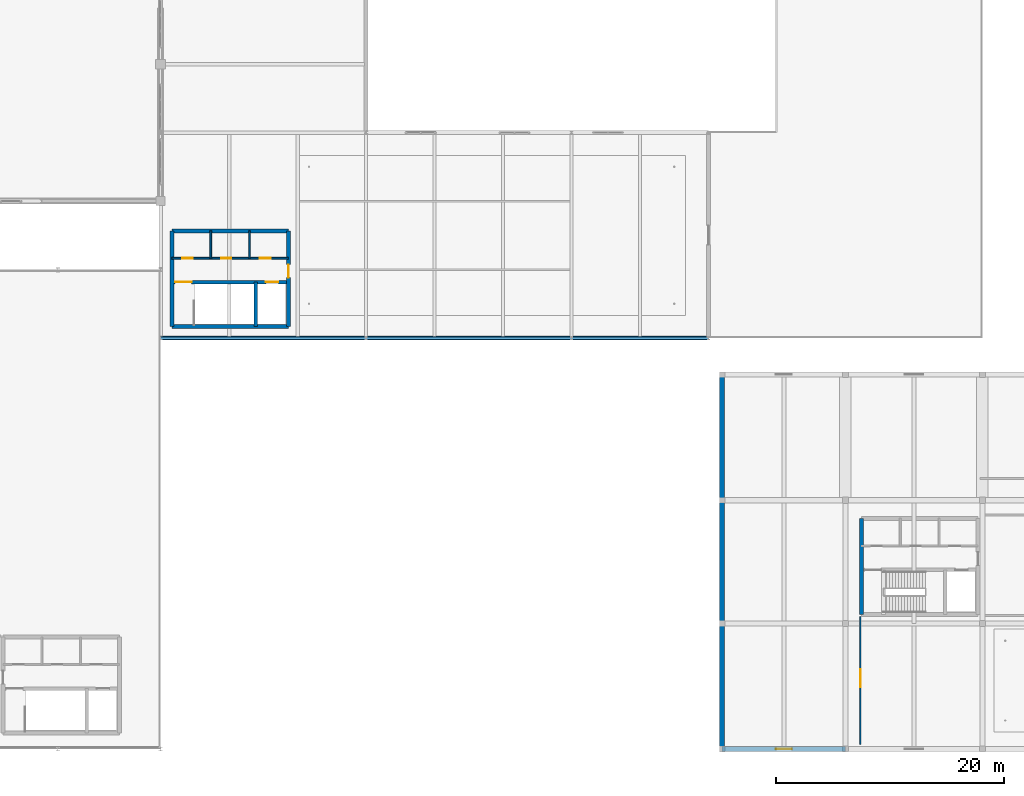
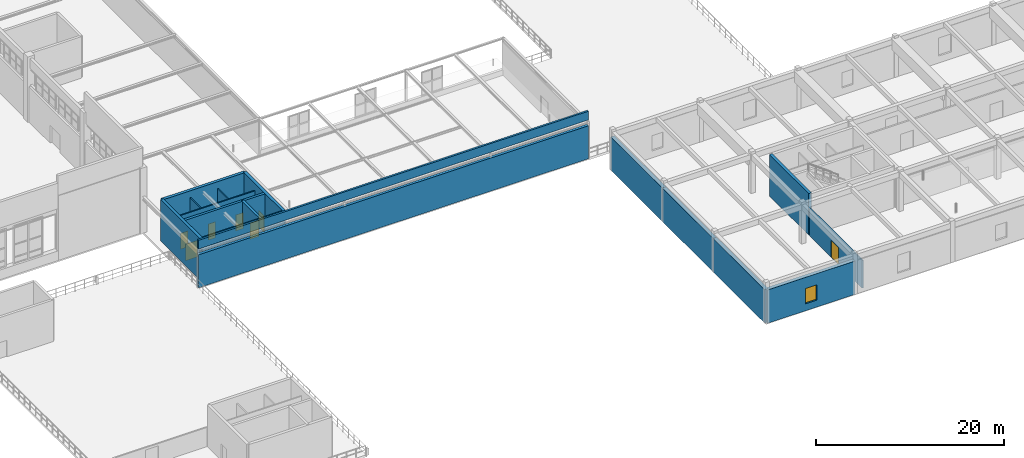
# One storey, part 78 of 97: 17 walls, 7 doors, 1 window, 8 openings.
"""IFC4 building model written with IfcOpenShell, lengths in metres."""

from ifc_helpers import new_model, si_unit, derived_unit, direction, frame, frame_2d, origin, place, context, subcontext, project, spatial, rectangle, extrude, material, layer, layer_set, type_object, element, fill, save


model = new_model("IFC4")

# Units and contexts
model_context = context("Model", 3, precision=1e-05, world=origin(), true_north=direction((0.0, 1.0)))
body_context = subcontext(model_context, "Body", "Model", "MODEL_VIEW")
ifc_project = project(units=[si_unit("LENGTHUNIT", "METRE"), si_unit("AREAUNIT", "SQUARE_METRE"), si_unit("VOLUMEUNIT", "CUBIC_METRE"), si_unit("PLANEANGLEUNIT", "RADIAN"), si_unit("MASSUNIT", "GRAM", prefix="KILO"), derived_unit("THERMALTRANSMITTANCEUNIT", [(si_unit("POWERUNIT", "WATT"), 1), (si_unit("LENGTHUNIT", "METRE"), -2), (si_unit("THERMODYNAMICTEMPERATUREUNIT", "KELVIN"), -1)])], contexts=[model_context])

# Site, building, storey
site_placement = place(None, origin())
site = spatial("IfcSite", under=ifc_project, at=site_placement, CompositionType="ELEMENT")
building_placement = place(site_placement, origin())
building = spatial("IfcBuilding", under=site, at=building_placement, Name="Almenara Railside Exhibition Hall", CompositionType="ELEMENT")
storey_placement = place(building_placement, frame((0.0, 0.0, 10.800048828125)))
storey = spatial("IfcBuildingStorey", under=building, at=storey_placement, Name="L02", CompositionType="ELEMENT", Elevation=10.800048828125)

# Wall, opening, door
ifc_material_1 = material(Name="Double-stud acoustic gypsum partition")
ifc_layer_1 = layer(ifc_material_1, 0.159912109375, Name="Double-stud acoustic gypsum partition")
ifc_layer_set_1 = layer_set([ifc_layer_1], Name="Double-stud acoustic gypsum partition")
wall_type_1 = type_object("IfcWallType", Name="Acoustic Congress Partition 160mm", PredefinedType="PARTITIONING", material=ifc_layer_set_1)
wall_1_placement = place(storey_placement, frame((127.300048828125, 0.39990234375, 0.0), z_axis=(0.0, 0.0, 1.0), x_axis=(0.0, 1.0, 0.0)))
wall_1 = element("IfcWall", 1, at=wall_1_placement, inside=storey, type_object=wall_type_1, Name="Interior wall 0388", PredefinedType="PARTITIONING", context=body_context, shape_type="SweptSolid", body=[
    extrude(rectangle(XDim=11.2001953125, YDim=0.159912109375, at=frame_2d((5.60009765625, 0.0))), origin(), (0.0, 0.0, 1.0), 3.599853515625),
])
opening_1_placement = place(wall_1_placement, frame((5.0, 0.0, 0.0)))
opening_1 = element("IfcOpeningElement", 2, at=opening_1_placement, cuts=wall_1, Name="Opening ID-16", PredefinedType="OPENING", context=body_context, shape_type="SweptSolid", body=[
    extrude(rectangle(XDim=1.60009765625, YDim=2.199951171875, at=frame_2d((0.800048828125, 1.10009765625))), frame((0.0, 0.08984375, 0.0), z_axis=(0.0, -1.0, 0.0), x_axis=(1.0, 0.0, 0.0)), (0.0, 0.0, 1.0), 0.179931640625),
])
ifc_material_2 = material(Name="Iroko hardwood double door", Category="wood")
door_type_1 = type_object("IfcDoorType", Name="Meeting Suite Double Door 1600x2200", OperationType="NOTDEFINED", PredefinedType="DOOR", material=ifc_material_2)
door_1_placement = place(opening_1_placement, origin())
door_1 = element("IfcDoor", 3, at=door_1_placement, inside=storey, type_object=door_type_1, Name="Interior door ID-16-263", OperationType="DOUBLE_DOOR_SINGLE_SWING", OverallHeight=2.199951171875, OverallWidth=1.60009765625, PredefinedType="DOOR", context=body_context, shape_type="SweptSolid", body=[
    extrude(rectangle(XDim=1.60009765625, YDim=2.199951171875, at=frame_2d((0.800048828125, 1.10009765625))), frame((0.0, 0.02490234375, 0.0), z_axis=(0.0, -1.0, 0.0), x_axis=(1.0, 0.0, 0.0)), (0.0, 0.0, 1.0), 0.050048828125),
])
fill(opening_1, door_1)

# Walls
ifc_material_3 = material(Name="Concrete C35/45", Category="concrete")
ifc_layer_2 = layer(ifc_material_3, 0.35009765625, Name="Concrete C35/45")
ifc_layer_set_2 = layer_set([ifc_layer_2], Name="Concrete C35/45")
wall_type_2 = type_object("IfcWallType", Name="Core Coupled Shear Wall 350mm C35/45", PredefinedType="SHEAR", material=ifc_layer_set_2)
for number, where, z_axis, x_axis, name in (
    (4, (67.0, 37.0, 0.0), (0.0, 0.0, 1.0), (1.0, 0.0, 0.0), "Interior wall 0091"),
    (5, (77.199951171875, 45.39990234375, 0.0), (0.0, 0.0, 1.0), (-1.0, 0.0, 0.0), "Interior wall 0092"),
):
    element("IfcWall", number, at=place(storey_placement, frame(where, z_axis=z_axis, x_axis=x_axis)), inside=storey, type_object=wall_type_2, Name=name, PredefinedType="SHEAR", context=body_context, shape_type="SweptSolid", body=[
        extrude(rectangle(XDim=10.199951171875, YDim=0.35009765625, at=frame_2d((5.10009765625, 0.0))), origin(), (0.0, 0.0, 1.0), 5.39990234375),
    ])
wall_2_placement = place(storey_placement, frame((67.0, 45.39990234375, 0.0), z_axis=(0.0, 0.0, 1.0), x_axis=(0.0, -1.0, 0.0)))
element("IfcWall", 6, at=wall_2_placement, inside=storey, type_object=wall_type_2, Name="Interior wall 0093", PredefinedType="SHEAR", context=body_context, shape_type="SweptSolid", body=[
    extrude(rectangle(XDim=8.39990234375, YDim=0.35009765625, at=frame_2d((4.199951171875, 0.0))), origin(), (0.0, 0.0, 1.0), 5.39990234375),
])

# Wall, opening, door
wall_3_placement = place(storey_placement, frame((77.199951171875, 37.0, 0.0), z_axis=(0.0, 0.0, 1.0), x_axis=(0.0, 1.0, 0.0)))
wall_3 = element("IfcWall", 7, at=wall_3_placement, inside=storey, type_object=wall_type_2, Name="Interior wall 0094", PredefinedType="SHEAR", context=body_context, shape_type="SweptSolid", body=[
    extrude(rectangle(XDim=8.39990234375, YDim=0.35009765625, at=frame_2d((4.199951171875, 0.0))), origin(), (0.0, 0.0, 1.0), 5.39990234375),
])
opening_2_placement = place(wall_3_placement, frame((4.300048828125, 0.0, 0.0)))
opening_2 = element("IfcOpeningElement", 8, at=opening_2_placement, cuts=wall_3, Name="Opening FD-115", PredefinedType="OPENING", context=body_context, shape_type="SweptSolid", body=[
    extrude(rectangle(XDim=1.14990234375, YDim=2.14990234375, at=frame_2d((0.574951171875, 1.074951171875))), frame((0.0, 0.18505859375, 0.0), z_axis=(0.0, -1.0, 0.0), x_axis=(1.0, 0.0, 0.0)), (0.0, 0.0, 1.0), 0.3701171875),
])
ifc_material_4 = material(Name="Fire-rated iroko timber door", Category="wood")
door_type_2 = type_object("IfcDoorType", Name="Core Lobby Fire Door 1150x2150 EI60", OperationType="NOTDEFINED", PredefinedType="DOOR", material=ifc_material_4)
door_2_placement = place(opening_2_placement, origin())
door_2 = element("IfcDoor", 9, at=door_2_placement, inside=storey, type_object=door_type_2, Name="Interior door FD-115-061", OperationType="SINGLE_SWING_LEFT", OverallHeight=2.14990234375, OverallWidth=1.14990234375, PredefinedType="DOOR", context=body_context, shape_type="SweptSolid", body=[
    extrude(rectangle(XDim=1.14990234375, YDim=2.14990234375, at=frame_2d((0.574951171875, 1.074951171875))), frame((0.0, 0.02490234375, 0.0), z_axis=(0.0, -1.0, 0.0), x_axis=(1.0, 0.0, 0.0)), (0.0, 0.0, 1.0), 0.050048828125),
])
fill(opening_2, door_2)

# Walls
wall_4_placement = place(storey_placement, frame((127.39990234375, 20.199951171875, 0.0), z_axis=(0.0, 0.0, 1.0), x_axis=(0.0, -1.0, 0.0)))
element("IfcWall", 10, at=wall_4_placement, inside=storey, type_object=wall_type_2, Name="Interior wall 0129", PredefinedType="SHEAR", context=body_context, shape_type="SweptSolid", body=[
    extrude(rectangle(XDim=8.39990234375, YDim=0.35009765625, at=frame_2d((4.199951171875, 0.0))), origin(), (0.0, 0.0, 1.0), 5.39990234375),
])
ifc_material_5 = material(Name="Ochre-white lime-rendered masonry over Concrete C35/45", Category="masonry")
ifc_layer_3 = layer(ifc_material_5, 0.3349609375, Name="Ochre-white lime-rendered masonry over Concrete C35/45")
ifc_layer_set_3 = layer_set([ifc_layer_3], Name="Ochre-white lime-rendered masonry over Concrete C35/45")
wall_type_3 = type_object("IfcWallType", Name="Exterior Belvedere Wall 335mm C35/45", PredefinedType="SOLIDWALL", material=ifc_layer_set_3)
wall_5_placement = place(storey_placement, frame((66.0, 36.0, 0.0), z_axis=(0.0, 0.0, 1.0), x_axis=(1.0, 0.0, 0.0)))
element("IfcWall", 11, at=wall_5_placement, inside=storey, type_object=wall_type_3, Name="Exterior wall 0168", PredefinedType="SOLIDWALL", context=body_context, shape_type="SweptSolid", body=[
    extrude(rectangle(XDim=48.0, YDim=0.3349609375, at=frame_2d((24.0, 0.0))), origin(), (0.0, 0.0, 1.0), 4.300048828125),
])

# Wall, opening, window
ifc_layer_4 = layer(ifc_material_5, 0.449951171875, Name="Ochre-white lime-rendered masonry over Concrete C35/45")
ifc_layer_set_4 = layer_set([ifc_layer_4], Name="Ochre-white lime-rendered masonry over Concrete C35/45")
wall_type_4 = type_object("IfcWallType", Name="Exterior Civic Stucco Wall 450mm C35/45", PredefinedType="SOLIDWALL", material=ifc_layer_set_4)
wall_6_placement = place(storey_placement, frame((115.199951171875, 0.0, 0.0), z_axis=(0.0, 0.0, 1.0), x_axis=(1.0, 0.0, 0.0)))
wall_6 = element("IfcWall", 12, at=wall_6_placement, inside=storey, type_object=wall_type_4, Name="Exterior wall 0244", PredefinedType="SOLIDWALL", context=body_context, shape_type="SweptSolid", body=[
    extrude(rectangle(XDim=10.800048828125, YDim=0.449951171875, at=frame_2d((5.39990234375, 0.0))), origin(), (0.0, 0.0, 1.0), 4.349853515625),
])
opening_3_placement = place(wall_6_placement, frame((4.699951171875, 0.0, 0.89990234375)))
opening_3 = element("IfcOpeningElement", 13, at=opening_3_placement, cuts=wall_6, Name="Opening W-09", PredefinedType="OPENING", context=body_context, shape_type="SweptSolid", body=[
    extrude(rectangle(XDim=1.39990234375, YDim=2.0, at=frame_2d((0.699951171875, 1.0))), frame((0.0, 0.23486328125, 0.0), z_axis=(0.0, -1.0, 0.0), x_axis=(1.0, 0.0, 0.0)), (0.0, 0.0, 1.0), 0.469970703125),
])
ifc_material_6 = material(Name="Bronze-anodised aluminium and low-E double glazing", Category="aluminium")
window_type = type_object("IfcWindowType", Name="Office Deep-Reveal Window 1400x2000", PartitioningType="DOUBLE_PANEL_VERTICAL", PredefinedType="WINDOW", material=ifc_material_6)
window_placement = place(opening_3_placement, origin())
window = element("IfcWindow", 14, at=window_placement, inside=storey, type_object=window_type, Name="Window 0093", OverallHeight=2.0, OverallWidth=1.39990234375, PartitioningType="DOUBLE_PANEL_VERTICAL", PredefinedType="WINDOW", context=body_context, shape_type="SweptSolid", body=[
    extrude(rectangle(XDim=1.39990234375, YDim=2.0, at=frame_2d((0.699951171875, 1.0))), frame((0.0, 0.030029296875, 0.0), z_axis=(0.0, -1.0, 0.0), x_axis=(1.0, 0.0, 0.0)), (0.0, 0.0, 1.0), 0.06005859375),
])
fill(opening_3, window)

# Walls
wall_7_placement = place(storey_placement, frame((115.199951171875, 11.0, 0.0), z_axis=(0.0, 0.0, 1.0), x_axis=(0.0, -1.0, 0.0)))
element("IfcWall", 15, at=wall_7_placement, inside=storey, type_object=wall_type_4, Name="Exterior wall 0261", PredefinedType="SOLIDWALL", context=body_context, shape_type="SweptSolid", body=[
    extrude(rectangle(XDim=11.0, YDim=0.449951171875, at=frame_2d((5.5, 0.0))), origin(), (0.0, 0.0, 1.0), 4.349853515625),
])
wall_8_placement = place(storey_placement, frame((115.199951171875, 21.800048828125, 0.0), z_axis=(0.0, 0.0, 1.0), x_axis=(0.0, -1.0, 0.0)))
element("IfcWall", 16, at=wall_8_placement, inside=storey, type_object=wall_type_4, Name="Exterior wall 0263", PredefinedType="SOLIDWALL", context=body_context, shape_type="SweptSolid", body=[
    extrude(rectangle(XDim=10.800048828125, YDim=0.449951171875, at=frame_2d((5.39990234375, 0.0))), origin(), (0.0, 0.0, 1.0), 4.349853515625),
])
wall_9_placement = place(storey_placement, frame((115.199951171875, 32.800048828125, 0.0), z_axis=(0.0, 0.0, 1.0), x_axis=(0.0, -1.0, 0.0)))
element("IfcWall", 17, at=wall_9_placement, inside=storey, type_object=wall_type_4, Name="Exterior wall 0265", PredefinedType="SOLIDWALL", context=body_context, shape_type="SweptSolid", body=[
    extrude(rectangle(XDim=11.0, YDim=0.449951171875, at=frame_2d((5.5, 0.0))), origin(), (0.0, 0.0, 1.0), 4.349853515625),
])
ifc_material_7 = material(Name="Koppie quartzite stone over Concrete C35/45", Category="masonry")
ifc_layer_5 = layer(ifc_material_7, 0.235107421875, Name="Koppie quartzite stone over Concrete C35/45")
ifc_layer_set_5 = layer_set([ifc_layer_5], Name="Koppie quartzite stone over Concrete C35/45")
wall_type_5 = type_object("IfcWallType", Name="Planted Terrace Kerb Parapet 235mm C35/45", PredefinedType="PARAPET", material=ifc_layer_set_5)
wall_10_placement = place(storey_placement, frame((66.0, 36.0, 5.010009765625), z_axis=(0.0, 0.0, 1.0), x_axis=(1.0, 0.0, 0.0)))
element("IfcWall", 18, at=wall_10_placement, inside=storey, type_object=wall_type_5, Name="Exterior wall 0296", PredefinedType="PARAPET", context=body_context, shape_type="SweptSolid", body=[
    extrude(rectangle(XDim=48.0, YDim=0.235107421875, at=frame_2d((24.0, 0.0))), origin(), (0.0, 0.0, 1.0), 1.139892578125),
])

# Wall, openings, doors
ifc_material_8 = material(Name="Moisture-resistant tiled masonry partition", Category="masonry")
ifc_layer_6 = layer(ifc_material_8, 0.139892578125, Name="Moisture-resistant tiled masonry partition")
ifc_layer_set_6 = layer_set([ifc_layer_6], Name="Moisture-resistant tiled masonry partition")
wall_type_6 = type_object("IfcWallType", Name="Sanitary Wet-Wall Partition 140mm", PredefinedType="PARTITIONING", material=ifc_layer_set_6)
wall_11_placement = place(storey_placement, frame((67.0, 43.0, 0.0), z_axis=(0.0, 0.0, 1.0), x_axis=(1.0, 0.0, 0.0)))
wall_11 = element("IfcWall", 19, at=wall_11_placement, inside=storey, type_object=wall_type_6, Name="Interior wall 0097", PredefinedType="PARTITIONING", context=body_context, shape_type="SweptSolid", body=[
    extrude(rectangle(XDim=10.199951171875, YDim=0.139892578125, at=frame_2d((5.10009765625, 0.0))), origin(), (0.0, 0.0, 1.0), 4.454833984375),
])
opening_4_placement = place(wall_11_placement, frame((0.89990234375, 0.0, 0.0)))
opening_4 = element("IfcOpeningElement", 20, at=opening_4_placement, cuts=wall_11, Name="Opening ID-09", PredefinedType="OPENING", context=body_context, shape_type="SweptSolid", body=[
    extrude(rectangle(XDim=0.89990234375, YDim=2.10009765625, at=frame_2d((0.449951171875, 1.050048828125))), frame((0.0, 0.079833984375, 0.0), z_axis=(0.0, -1.0, 0.0), x_axis=(1.0, 0.0, 0.0)), (0.0, 0.0, 1.0), 0.159912109375),
])
opening_5_placement = place(wall_11_placement, frame((4.300048828125, 0.0, 0.0)))
opening_5 = element("IfcOpeningElement", 21, at=opening_5_placement, cuts=wall_11, Name="Opening ID-09", PredefinedType="OPENING", context=body_context, shape_type="SweptSolid", body=[
    extrude(rectangle(XDim=0.89990234375, YDim=2.10009765625, at=frame_2d((0.449951171875, 1.050048828125))), frame((0.0, 0.079833984375, 0.0), z_axis=(0.0, -1.0, 0.0), x_axis=(1.0, 0.0, 0.0)), (0.0, 0.0, 1.0), 0.159912109375),
])
opening_6_placement = place(wall_11_placement, frame((7.699951171875, 0.0, 0.0)))
opening_6 = element("IfcOpeningElement", 22, at=opening_6_placement, cuts=wall_11, Name="Opening ID-095", PredefinedType="OPENING", context=body_context, shape_type="SweptSolid", body=[
    extrude(rectangle(XDim=0.949951171875, YDim=2.10009765625, at=frame_2d((0.47509765625, 1.050048828125))), frame((0.0, 0.079833984375, 0.0), z_axis=(0.0, -1.0, 0.0), x_axis=(1.0, 0.0, 0.0)), (0.0, 0.0, 1.0), 0.159912109375),
])
ifc_material_9 = material(Name="Moisture-resistant hardwood door", Category="wood")
door_type_3 = type_object("IfcDoorType", Name="Accessible Toilet Door 950x2100", OperationType="NOTDEFINED", PredefinedType="DOOR", material=ifc_material_9)
door_3_placement = place(opening_6_placement, origin())
door_3 = element("IfcDoor", 23, at=door_3_placement, inside=storey, type_object=door_type_3, Name="Interior door ID-095-066", OperationType="SINGLE_SWING_RIGHT", OverallHeight=2.10009765625, OverallWidth=0.949951171875, PredefinedType="DOOR", context=body_context, shape_type="SweptSolid", body=[
    extrude(rectangle(XDim=0.949951171875, YDim=2.10009765625, at=frame_2d((0.47509765625, 1.050048828125))), frame((0.0, 0.02490234375, 0.0), z_axis=(0.0, -1.0, 0.0), x_axis=(1.0, 0.0, 0.0)), (0.0, 0.0, 1.0), 0.050048828125),
])
fill(opening_6, door_3)
door_type_4 = type_object("IfcDoorType", Name="Sanitary Lobby Single Door 900x2100", OperationType="NOTDEFINED", PredefinedType="DOOR", material=ifc_material_9)
door_4_placement = place(opening_4_placement, origin())
door_4 = element("IfcDoor", 24, at=door_4_placement, inside=storey, type_object=door_type_4, Name="Interior door ID-09-064", OperationType="SINGLE_SWING_RIGHT", OverallHeight=2.10009765625, OverallWidth=0.89990234375, PredefinedType="DOOR", context=body_context, shape_type="SweptSolid", body=[
    extrude(rectangle(XDim=0.89990234375, YDim=2.10009765625, at=frame_2d((0.449951171875, 1.050048828125))), frame((0.0, 0.02490234375, 0.0), z_axis=(0.0, -1.0, 0.0), x_axis=(1.0, 0.0, 0.0)), (0.0, 0.0, 1.0), 0.050048828125),
])
fill(opening_4, door_4)
door_5_placement = place(opening_5_placement, origin())
door_5 = element("IfcDoor", 25, at=door_5_placement, inside=storey, type_object=door_type_4, Name="Interior door ID-09-065", OperationType="SINGLE_SWING_LEFT", OverallHeight=2.10009765625, OverallWidth=0.89990234375, PredefinedType="DOOR", context=body_context, shape_type="SweptSolid", body=[
    extrude(rectangle(XDim=0.89990234375, YDim=2.10009765625, at=frame_2d((0.449951171875, 1.050048828125))), frame((0.0, 0.02490234375, 0.0), z_axis=(0.0, -1.0, 0.0), x_axis=(1.0, 0.0, 0.0)), (0.0, 0.0, 1.0), 0.050048828125),
])
fill(opening_5, door_5)

# Walls
for number, where, z_axis, x_axis, name in (
    (26, (70.39990234375, 43.0, 0.0), (0.0, 0.0, 1.0), (0.0, 1.0, 0.0), "Interior wall 0098"),
    (27, (73.800048828125, 43.0, 0.0), (0.0, 0.0, 1.0), (0.0, 1.0, 0.0), "Interior wall 0099"),
):
    element("IfcWall", number, at=place(storey_placement, frame(where, z_axis=z_axis, x_axis=x_axis)), inside=storey, type_object=wall_type_6, Name=name, PredefinedType="PARTITIONING", context=body_context, shape_type="SweptSolid", body=[
        extrude(rectangle(XDim=2.39990234375, YDim=0.139892578125, at=frame_2d((1.199951171875, 0.0))), origin(), (0.0, 0.0, 1.0), 4.5),
    ])

# Wall, openings, doors
ifc_layer_7 = layer(ifc_material_3, 0.300048828125, Name="Concrete C35/45")
ifc_layer_set_7 = layer_set([ifc_layer_7], Name="Concrete C35/45")
wall_type_7 = type_object("IfcWallType", Name="Stair and Lift Shaft Wall 300mm C35/45", PredefinedType="SHEAR", material=ifc_layer_set_7)
wall_12_placement = place(storey_placement, frame((67.0, 40.89990234375, 0.0), z_axis=(0.0, 0.0, 1.0), x_axis=(1.0, 0.0, 0.0)))
wall_12 = element("IfcWall", 28, at=wall_12_placement, inside=storey, type_object=wall_type_7, Name="Interior wall 0095", PredefinedType="SHEAR", context=body_context, shape_type="SweptSolid", body=[
    extrude(rectangle(XDim=10.199951171875, YDim=0.300048828125, at=frame_2d((5.10009765625, 0.0))), origin(), (0.0, 0.0, 1.0), 5.39990234375),
])
opening_7_placement = place(wall_12_placement, frame((0.280029296875, 0.0, 0.0)))
opening_7 = element("IfcOpeningElement", 29, at=opening_7_placement, cuts=wall_12, Name="Opening FD-145", PredefinedType="OPENING", context=body_context, shape_type="SweptSolid", body=[
    extrude(rectangle(XDim=1.449951171875, YDim=2.14990234375, at=frame_2d((0.72509765625, 1.074951171875))), frame((0.0, 0.159912109375, 0.0), z_axis=(0.0, -1.0, 0.0), x_axis=(1.0, 0.0, 0.0)), (0.0, 0.0, 1.0), 0.320068359375),
])
opening_8_placement = place(wall_12_placement, frame((8.22509765625, 0.0, 0.0)))
opening_8 = element("IfcOpeningElement", 30, at=opening_8_placement, cuts=wall_12, Name="Opening LD-11-C4", PredefinedType="OPENING", context=body_context, shape_type="SweptSolid", body=[
    extrude(rectangle(XDim=1.10009765625, YDim=2.14990234375, at=frame_2d((0.550048828125, 1.074951171875))), frame((0.0, 0.159912109375, 0.0), z_axis=(0.0, -1.0, 0.0), x_axis=(1.0, 0.0, 0.0)), (0.0, 0.0, 1.0), 0.320068359375),
])
ifc_material_10 = material(Name="Steel-framed fire-rated timber door", Category="steel")
door_type_5 = type_object("IfcDoorType", Name="Fire Escape Stair Door 1450x2150 EI60", OperationType="NOTDEFINED", PredefinedType="DOOR", material=ifc_material_10)
door_6_placement = place(opening_7_placement, origin())
door_6 = element("IfcDoor", 31, at=door_6_placement, inside=storey, type_object=door_type_5, Name="Interior door FD-145-062", OperationType="DOUBLE_DOOR_SINGLE_SWING", OverallHeight=2.14990234375, OverallWidth=1.449951171875, PredefinedType="DOOR", context=body_context, shape_type="SweptSolid", body=[
    extrude(rectangle(XDim=1.449951171875, YDim=2.14990234375, at=frame_2d((0.72509765625, 1.074951171875))), frame((0.0, 0.02490234375, 0.0), z_axis=(0.0, -1.0, 0.0), x_axis=(1.0, 0.0, 0.0)), (0.0, 0.0, 1.0), 0.050048828125),
])
fill(opening_7, door_6)
ifc_material_11 = material(Name="Brushed bronze-stainless steel sliding landing door", Category="steel")
door_type_6 = type_object("IfcDoorType", Name="Passenger Lift Sliding Landing Door 1100x2150", OperationType="DOUBLE_DOOR_SLIDING", PredefinedType="DOOR", material=ifc_material_11)
door_7_placement = place(opening_8_placement, origin())
door_7 = element("IfcDoor", 32, at=door_7_placement, inside=storey, type_object=door_type_6, Name="Interior door LD-11-C4-063", OperationType="DOUBLE_DOOR_SLIDING", OverallHeight=2.14990234375, OverallWidth=1.10009765625, PredefinedType="DOOR", context=body_context, shape_type="SweptSolid", body=[
    extrude(rectangle(XDim=1.10009765625, YDim=2.14990234375, at=frame_2d((0.550048828125, 1.074951171875))), frame((0.0, 0.02490234375, 0.0), z_axis=(0.0, -1.0, 0.0), x_axis=(1.0, 0.0, 0.0)), (0.0, 0.0, 1.0), 0.050048828125),
])
fill(opening_8, door_7)

# Wall
wall_13_placement = place(storey_placement, frame((74.35009765625, 37.0, 0.0), z_axis=(0.0, 0.0, 1.0), x_axis=(0.0, 1.0, 0.0)))
element("IfcWall", 33, at=wall_13_placement, inside=storey, type_object=wall_type_7, Name="Interior wall 0096", PredefinedType="SHEAR", context=body_context, shape_type="SweptSolid", body=[
    extrude(rectangle(XDim=3.89990234375, YDim=0.300048828125, at=frame_2d((1.949951171875, 0.0))), origin(), (0.0, 0.0, 1.0), 5.39990234375),
])

save(model, "model.ifc")
